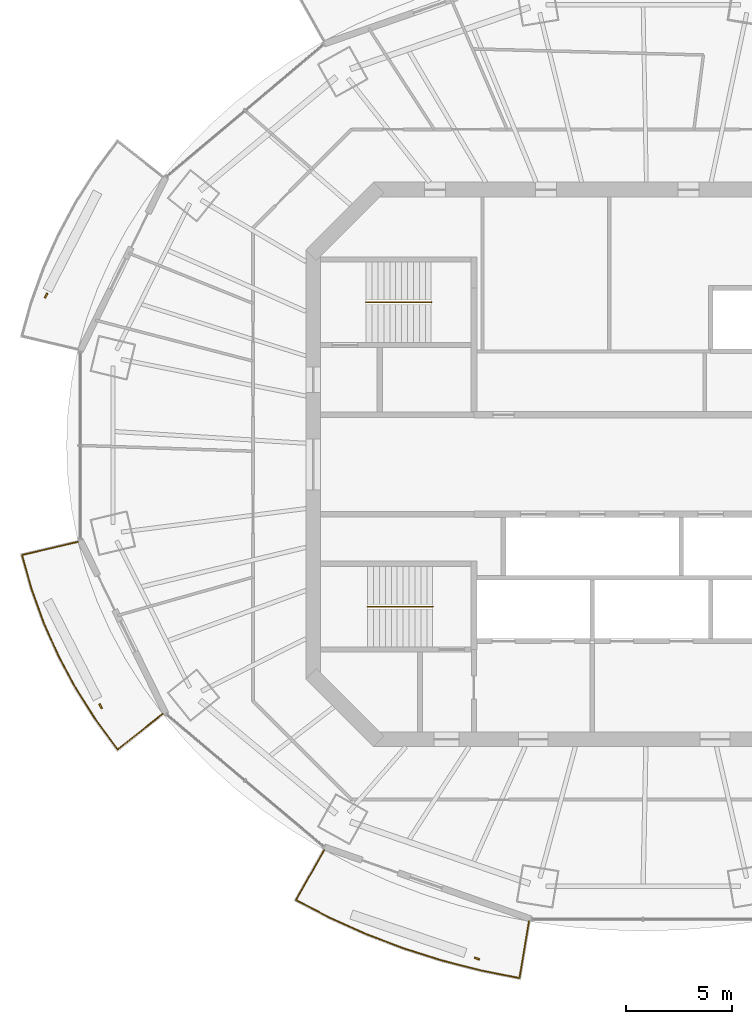
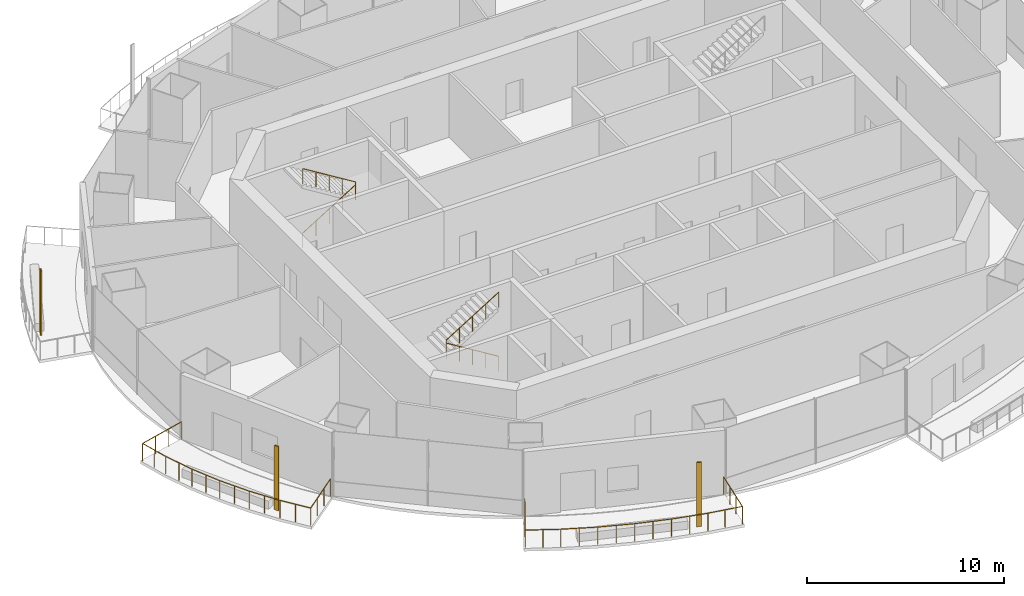
# One storey, part 12 of 16: 4 railings, 3 shading devices.
"""IFC4 building model written with IfcOpenShell, lengths in metres."""

import ifcopenshell
import ifcopenshell.guid

model = None  # the IFC model being written
_history = None  # IfcOwnerHistory: only IFC2X3 demands one
_inside = {}  # id of a spatial element -> (the spatial element, [elements in it])
_under = {}  # id of a project, library or spatial element -> (it, [spatial elements below it])
_declared = {}  # id of a project -> (the project, [libraries it declares])
_typed = {}  # id of a type object -> (the type object, [elements of that type])
_made_of = {}  # id of a material, layer set ... -> (it, [elements and type objects made of it])


def new_model(schema):
    """Start an empty IFC model of exactly this schema.

    Asked for "IFC4X3", IfcOpenShell would pick the latest addendum, in which some entities
    have other attributes; the version numbers below select the first issue.
    IFC2X3 requires an IfcOwnerHistory on every rooted entity: one is made here for all.
    """
    global model, _history
    if schema == "IFC4X3":
        model = ifcopenshell.file(schema_version=(4, 3, 0, 0))
    else:
        model = ifcopenshell.file(schema=schema)
    _inside.clear()
    _under.clear()
    _declared.clear()
    _typed.clear()
    _made_of.clear()
    _history = None
    if model.schema == "IFC2X3":
        org = make("IfcOrganization", Name="unknown")
        user = make(
            "IfcPersonAndOrganization",
            ThePerson=make("IfcPerson", FamilyName="unknown"),
            TheOrganization=org,
        )
        app = make(
            "IfcApplication",
            ApplicationDeveloper=org,
            Version="unknown",
            ApplicationFullName="unknown",
            ApplicationIdentifier="unknown",
        )
        _history = make(
            "IfcOwnerHistory",
            OwningUser=user,
            OwningApplication=app,
            ChangeAction="ADDED",
            CreationDate=0,
        )
    return model


def make(cls, **values):
    """One entity of the class cls with the attributes given. An attribute that is None is left unset."""
    return model.create_entity(
        cls, **{name: value for name, value in values.items() if value is not None}
    )


def rooted(cls, **values):
    """An entity with a GlobalId (a new one), such as an element, a storey or a relation."""
    return make(cls, GlobalId=ifcopenshell.guid.new(), OwnerHistory=_history, **values)


def si_unit(unit_type, name, prefix=None):
    """IfcSIUnit, for example si_unit("LENGTHUNIT", "METRE", prefix="MILLI")."""
    return make("IfcSIUnit", UnitType=unit_type, Prefix=prefix, Name=name)


def assignment(units):
    """IfcUnitAssignment: the units of a project."""
    return None if units is None else make("IfcUnitAssignment", Units=units)


def point(xyz):
    """IfcCartesianPoint."""
    return None if xyz is None else make("IfcCartesianPoint", Coordinates=xyz)


def direction(xyz):
    """IfcDirection."""
    return None if xyz is None else make("IfcDirection", DirectionRatios=xyz)


def frame(location, z_axis=None, x_axis=None):
    """IfcAxis2Placement3D, a coordinate frame: its origin and axes. An axis left out is left unset."""
    return make(
        "IfcAxis2Placement3D",
        Location=point(location),
        Axis=direction(z_axis),
        RefDirection=direction(x_axis),
    )


def frame_2d(location, x_axis=None):
    """IfcAxis2Placement2D, a coordinate frame in the plane: its origin and x axis."""
    return make(
        "IfcAxis2Placement2D", Location=point(location), RefDirection=direction(x_axis)
    )


def origin():
    """The frame at (0, 0, 0) with its axes left unset."""
    return frame((0.0, 0.0, 0.0))


def origin_2d():
    """The frame at (0, 0) in the plane with its x axis left unset."""
    return frame_2d((0.0, 0.0))


def place(relative_to, where):
    """IfcLocalPlacement: puts the frame where relative to a parent placement (None: the world)."""
    return make(
        "IfcLocalPlacement", PlacementRelTo=relative_to, RelativePlacement=where
    )


def context(
    kind, dimensions, precision=None, world=None, true_north=None, identifier=None
):
    """IfcGeometricRepresentationContext, for example the 3D "Model" context."""
    return make(
        "IfcGeometricRepresentationContext",
        ContextIdentifier=identifier,
        ContextType=kind,
        CoordinateSpaceDimension=dimensions,
        Precision=precision,
        WorldCoordinateSystem=world,
        TrueNorth=true_north,
    )


def subcontext(parent, identifier, kind, view, scale=None):
    """IfcGeometricRepresentationSubContext, for example "Body" below "Model"."""
    return make(
        "IfcGeometricRepresentationSubContext",
        ContextIdentifier=identifier,
        ContextType=kind,
        ParentContext=parent,
        TargetScale=scale,
        TargetView=view,
    )


def project(units=None, contexts=None):
    """IfcProject with its units and contexts."""
    return rooted(
        "IfcProject",
        Name="project",
        RepresentationContexts=contexts,
        UnitsInContext=assignment(units),
    )


def spatial(cls, under=None, at=None, **own):
    """A site, building, storey or space (cls), placed at a placement, below another one or the project."""
    s = rooted(cls, ObjectPlacement=at, **own)
    if under is not None:
        _under.setdefault(under.id(), (under, []))[1].append(s)
    return s


def profile(cls, at=None, kind="AREA", **sizes):
    """A parametric profile (cls). Its sizes go by their IFC names, for example OverallWidth=200.0."""
    return make(cls, ProfileType=kind, Position=at, **sizes)


def rectangle(**sizes):
    """IfcRectangleProfileDef."""
    return profile("IfcRectangleProfileDef", **sizes)


def circle(**sizes):
    """IfcCircleProfileDef."""
    return profile("IfcCircleProfileDef", **sizes)


def extrude(swept, where, along, depth):
    """IfcExtrudedAreaSolid: the profile swept, set in the frame where, extruded along a direction by depth."""
    return make(
        "IfcExtrudedAreaSolid",
        SweptArea=swept,
        Position=where,
        ExtrudedDirection=direction(along),
        Depth=depth,
    )


def shape(context_of_items, identifier, shape_type, items):
    """IfcShapeRepresentation: the items that make up one representation, for example the "Body"."""
    return make(
        "IfcShapeRepresentation",
        ContextOfItems=context_of_items,
        RepresentationIdentifier=identifier,
        RepresentationType=shape_type,
        Items=items,
    )


def material(Name=None, Category=None):
    """IfcMaterial."""
    return make("IfcMaterial", Name=Name, Category=Category)


def material_profile(
    of_material, cross_section, Name=None, Category=None, Priority=None
):
    """IfcMaterialProfile: a cross section and its material."""
    return make(
        "IfcMaterialProfile",
        Name=Name,
        Material=of_material,
        Profile=cross_section,
        Priority=Priority,
        Category=Category,
    )


def profile_set(profiles, Name=None, composite=None):
    """IfcMaterialProfileSet."""
    return make(
        "IfcMaterialProfileSet",
        Name=Name,
        MaterialProfiles=profiles,
        CompositeProfile=composite,
    )


def made_of(thing, what):
    """Note that an element or type object is made of a material, layer set ...; save() writes the relation."""
    if what is not None:
        _made_of.setdefault(what.id(), (what, []))[1].append(thing)
    return thing


def type_object(cls, material=None, **own):
    """A type object (cls), such as IfcWallType, which elements share."""
    return made_of(rooted(cls, **own), material)


def element(
    cls,
    number,
    at=None,
    inside=None,
    cuts=None,
    type_object=None,
    material=None,
    context=None,
    identifier="Body",
    shape_type=None,
    held_by="IfcProductDefinitionShape",
    body=None,
    shapes=None,
    **own,
):
    """One element of the class cls, such as IfcWall. Its Tag is "e" and its number.

    at: its placement. inside: the storey or other place that contains it. cuts: it is an
    opening in that element (IfcRelVoidsElement). A single representation is given by context,
    identifier, shape_type and body (its items); several are given by shapes. held_by: the class
    of the entity that holds the representations. save() writes the other relations.
    """
    e = rooted(cls, Tag="e%d" % number, ObjectPlacement=at, **own)
    if body is not None:
        shapes = [shape(context, identifier, shape_type, body)]
    if shapes is not None:
        e.Representation = make(held_by, Representations=shapes)
    if inside is not None:
        _inside.setdefault(inside.id(), (inside, []))[1].append(e)
    if cuts is not None:
        rooted(
            "IfcRelVoidsElement", RelatingBuildingElement=cuts, RelatedOpeningElement=e
        )
    if type_object is not None:
        _typed.setdefault(type_object.id(), (type_object, []))[1].append(e)
    return made_of(e, material)


def aggregate(whole, parts):
    """IfcRelAggregates: a whole, such as a stair, and the parts it consists of."""
    return rooted("IfcRelAggregates", RelatingObject=whole, RelatedObjects=parts)


def save(model, path):
    """Write the relations noted so far, then the file.

    IfcRelAggregates (storeys below a building ...), IfcRelContainedInSpatialStructure (elements
    in a storey), IfcRelDefinesByType, IfcRelAssociatesMaterial and IfcRelDeclares: one each for
    every whole, place, type object, material and project.
    """
    for whole, parts in _under.values():
        aggregate(whole, parts)
    for where, things in _inside.values():
        rooted(
            "IfcRelContainedInSpatialStructure",
            RelatedElements=things,
            RelatingStructure=where,
        )
    for kind, things in _typed.values():
        rooted("IfcRelDefinesByType", RelatedObjects=things, RelatingType=kind)
    for what, things in _made_of.values():
        rooted("IfcRelAssociatesMaterial", RelatedObjects=things, RelatingMaterial=what)
    for by, libraries in _declared.values():
        rooted("IfcRelDeclares", RelatingContext=by, RelatedDefinitions=libraries)
    model.write(path)


model = new_model("IFC4")

# Units and contexts
model_context = context("Model", 3, precision=1e-05, world=origin(), true_north=direction((0.0, 1.0)))
body_context = subcontext(model_context, "Body", "Model", "MODEL_VIEW")
ifc_project = project(units=[si_unit("LENGTHUNIT", "METRE"), si_unit("AREAUNIT", "SQUARE_METRE"), si_unit("VOLUMEUNIT", "CUBIC_METRE"), si_unit("PLANEANGLEUNIT", "RADIAN"), si_unit("MASSUNIT", "GRAM", prefix="KILO")], contexts=[model_context])

# Site, building, storey
site_placement = place(None, origin())
site = spatial("IfcSite", under=ifc_project, at=site_placement, CompositionType="ELEMENT")
building_placement = place(site_placement, origin())
building = spatial("IfcBuilding", under=site, at=building_placement, Name="Marenthal Gate Tower", CompositionType="ELEMENT")
storey_placement = place(building_placement, frame((0.0, 0.0, 334.300048828125)))
storey = spatial("IfcBuildingStorey", under=building, at=storey_placement, Name="L75", CompositionType="ELEMENT", Elevation=334.300048828125)

# Railings
ifc_material_1 = material(Name="Stainless steel", Category="steel")
railing_type_1 = type_object("IfcRailingType", Name="Balcony guard 1100", PredefinedType="GUARDRAIL", material=ifc_material_1)
railing_1_placement = place(storey_placement, frame((-23.123046875, -11.79443359375, 0.0)))
element("IfcRailing", 1, at=railing_1_placement, inside=storey, type_object=railing_type_1, Name="Balcony guard L75 bay 9", PredefinedType="GUARDRAIL", context=body_context, shape_type="SweptSolid", body=[
    extrude(circle(Radius=0.02392578125, at=origin_2d()), frame((0.0, 0.0, 1.076171875), z_axis=(-0.783613159988, -0.621074684128, -0.014719111011), x_axis=(0.621141973669, -0.783698059553, 0.0)), (0.0, 0.0, 1.0), 2.72021484375),
    extrude(circle(Radius=0.02392578125, at=origin_2d()), frame((-2.131591796875, -1.689453125, 1.0361328125), z_axis=(-0.592673479354, 0.805442826569, 0.0), x_axis=(-0.805442826569, -0.592673479354, 0.0)), (0.0, 0.0, 1.0), 1.69580078125),
    extrude(circle(Radius=0.02392578125, at=origin_2d()), frame((-3.13671875, -0.323486328125, 1.0361328125), z_axis=(-0.53589847601, 0.844282431068, 0.0), x_axis=(-0.844282431068, -0.53589847601, 0.0)), (0.0, 0.0, 1.0), 1.76318359375),
    extrude(circle(Radius=0.02392578125, at=origin_2d()), frame((-4.08154296875, 1.1650390625, 1.0361328125), z_axis=(-0.473717470746, 0.880676874858, 0.0), x_axis=(-0.880676874858, -0.473717470746, 0.0)), (0.0, 0.0, 1.0), 1.751708984375),
    extrude(circle(Radius=0.02392578125, at=origin_2d()), frame((-4.911376953125, 2.707763671875, 1.0361328125), z_axis=(-0.407984820198, 0.912988711041, 0.0), x_axis=(-0.912988711041, -0.407984820198, 0.0)), (0.0, 0.0, 1.0), 1.741455078125),
    extrude(circle(Radius=0.02392578125, at=origin_2d()), frame((-5.621826171875, 4.297607421875, 1.0361328125), z_axis=(-0.338924060667, 0.940813733478, 0.0), x_axis=(-0.940813733478, -0.338924060667, 0.0)), (0.0, 0.0, 1.0), 1.732421875),
    extrude(circle(Radius=0.02392578125, at=origin_2d()), frame((-6.208984375, 5.927490234375, 1.0361328125), z_axis=(-0.268600452735, 0.963251678841, 0.0), x_axis=(-0.963251678841, -0.268600452735, 0.0)), (0.0, 0.0, 1.0), 1.645263671875),
    extrude(circle(Radius=0.02392578125, at=origin_2d()), frame((-6.65087890625, 7.51220703125, 1.0361328125), z_axis=(0.97315730439, 0.229669790827, 0.014718970573), x_axis=(-0.229694673631, 0.973262737859, 0.0)), (0.0, 0.0, 1.0), 2.72021484375),
    extrude(circle(Radius=0.02099609375, at=origin_2d()), origin(), (0.0, 0.0, 1.0), 1.052001953125),
    extrude(circle(Radius=0.02099609375, at=origin_2d()), frame((-0.71044921875, -0.563232421875, -0.013427734375)), (0.0, 0.0, 1.0), 1.052001953125),
    extrude(circle(Radius=0.02099609375, at=origin_2d()), frame((-1.421142578125, -1.126220703125, -0.026611328125)), (0.0, 0.0, 1.0), 1.052001953125),
    extrude(circle(Radius=0.02099609375, at=origin_2d()), frame((-2.131591796875, -1.689453125, -0.0400390625)), (0.0, 0.0, 1.0), 1.052001953125),
    extrude(circle(Radius=0.02099609375, at=origin_2d()), frame((-2.63427734375, -1.00634765625, -0.0400390625)), (0.0, 0.0, 1.0), 1.052001953125),
    extrude(circle(Radius=0.02099609375, at=origin_2d()), frame((-3.13671875, -0.323486328125, -0.0400390625)), (0.0, 0.0, 1.0), 1.052001953125),
    extrude(circle(Radius=0.02099609375, at=origin_2d()), frame((-3.609130859375, 0.4208984375, -0.0400390625)), (0.0, 0.0, 1.0), 1.052001953125),
    extrude(circle(Radius=0.02099609375, at=origin_2d()), frame((-4.08154296875, 1.1650390625, -0.0400390625)), (0.0, 0.0, 1.0), 1.052001953125),
    extrude(circle(Radius=0.02099609375, at=origin_2d()), frame((-4.49658203125, 1.9365234375, -0.0400390625)), (0.0, 0.0, 1.0), 1.052001953125),
    extrude(circle(Radius=0.02099609375, at=origin_2d()), frame((-4.911376953125, 2.707763671875, -0.0400390625)), (0.0, 0.0, 1.0), 1.052001953125),
    extrude(circle(Radius=0.02099609375, at=origin_2d()), frame((-5.2666015625, 3.502685546875, -0.0400390625)), (0.0, 0.0, 1.0), 1.052001953125),
    extrude(circle(Radius=0.02099609375, at=origin_2d()), frame((-5.621826171875, 4.297607421875, -0.0400390625)), (0.0, 0.0, 1.0), 1.052001953125),
    extrude(circle(Radius=0.02099609375, at=origin_2d()), frame((-5.91552734375, 5.112548828125, -0.0400390625)), (0.0, 0.0, 1.0), 1.052001953125),
    extrude(circle(Radius=0.02099609375, at=origin_2d()), frame((-6.208984375, 5.927490234375, -0.0400390625)), (0.0, 0.0, 1.0), 1.052001953125),
    extrude(circle(Radius=0.02099609375, at=origin_2d()), frame((-6.429931640625, 6.7197265625, -0.0400390625)), (0.0, 0.0, 1.0), 1.052001953125),
    extrude(circle(Radius=0.02099609375, at=origin_2d()), frame((-6.65087890625, 7.51220703125, -0.0400390625)), (0.0, 0.0, 1.0), 1.052001953125),
    extrude(circle(Radius=0.02099609375, at=origin_2d()), frame((-5.7685546875, 7.720458984375, -0.026611328125)), (0.0, 0.0, 1.0), 1.052001953125),
    extrude(circle(Radius=0.02099609375, at=origin_2d()), frame((-4.885986328125, 7.9287109375, -0.013427734375)), (0.0, 0.0, 1.0), 1.052001953125),
    extrude(circle(Radius=0.02099609375, at=origin_2d()), frame((-4.003662109375, 8.136962890625, 0.0)), (0.0, 0.0, 1.0), 1.052001953125),
])
railing_2_placement = place(storey_placement, frame((-5.798828125, -21.607666015625, 0.0)))
element("IfcRailing", 2, at=railing_2_placement, inside=storey, type_object=railing_type_1, Name="Balcony guard L75 bay 11", PredefinedType="GUARDRAIL", context=body_context, shape_type="SweptSolid", body=[
    extrude(circle(Radius=0.02392578125, at=origin_2d()), frame((0.0, 0.0, 1.076171875), z_axis=(-0.165327157968, -0.986128927578, -0.014719681817), x_axis=(0.986235776742, -0.165345071517, 0.0)), (0.0, 0.0, 1.0), 2.72021484375),
    extrude(circle(Radius=0.02392578125, at=origin_2d()), frame((-0.44970703125, -2.682373046875, 1.0361328125), z_axis=(-0.9810465399, 0.193772254337, 0.0), x_axis=(-0.193772254337, -0.9810465399, 0.0)), (0.0, 0.0, 1.0), 1.84326171875),
    extrude(circle(Radius=0.02392578125, at=origin_2d()), frame((-2.258056640625, -2.3251953125, 1.0361328125), z_axis=(-0.968878064997, 0.247538472096, 0.0), x_axis=(-0.247538472096, -0.968878064997, 0.0)), (0.0, 0.0, 1.0), 1.916259765625),
    extrude(circle(Radius=0.02392578125, at=origin_2d()), frame((-4.11474609375, -1.850830078125, 1.0361328125), z_axis=(-0.953251321023, 0.302178620963, 0.0), x_axis=(-0.302178620963, -0.953251321023, 0.0)), (0.0, 0.0, 1.0), 1.907470703125),
    extrude(circle(Radius=0.02392578125, at=origin_2d()), frame((-5.93310546875, -1.2744140625, 1.0361328125), z_axis=(-0.934293977025, 0.356503526623, 0.0), x_axis=(-0.356503526623, -0.934293977025, 0.0)), (0.0, 0.0, 1.0), 1.897705078125),
    extrude(circle(Radius=0.02392578125, at=origin_2d()), frame((-7.7060546875, -0.597900390625, 1.0361328125), z_axis=(-0.911863363512, 0.410493856573, 0.0), x_axis=(-0.410493856573, -0.911863363512, 0.0)), (0.0, 0.0, 1.0), 1.885986328125),
    extrude(circle(Radius=0.02392578125, at=origin_2d()), frame((-9.42578125, 0.17626953125, 1.0361328125), z_axis=(-0.886507182027, 0.462714832498, 0.0), x_axis=(-0.462714832498, -0.886507182027, 0.0)), (0.0, 0.0, 1.0), 1.7939453125),
    extrude(circle(Radius=0.02392578125, at=origin_2d()), frame((-11.01611328125, 1.00634765625, 1.0361328125), z_axis=(0.490740668141, 0.871181358019, 0.014718630134), x_axis=(-0.871275738879, 0.490793833336, 0.0)), (0.0, 0.0, 1.0), 2.72021484375),
    extrude(circle(Radius=0.02099609375, at=origin_2d()), origin(), (0.0, 0.0, 1.0), 1.052001953125),
    extrude(circle(Radius=0.02099609375, at=origin_2d()), frame((-0.14990234375, -0.89404296875, -0.013427734375)), (0.0, 0.0, 1.0), 1.052001953125),
    extrude(circle(Radius=0.02099609375, at=origin_2d()), frame((-0.2998046875, -1.788330078125, -0.026611328125)), (0.0, 0.0, 1.0), 1.052001953125),
    extrude(circle(Radius=0.02099609375, at=origin_2d()), frame((-0.44970703125, -2.682373046875, -0.0400390625)), (0.0, 0.0, 1.0), 1.052001953125),
    extrude(circle(Radius=0.02099609375, at=origin_2d()), frame((-1.35400390625, -2.50390625, -0.0400390625)), (0.0, 0.0, 1.0), 1.052001953125),
    extrude(circle(Radius=0.02099609375, at=origin_2d()), frame((-2.258056640625, -2.3251953125, -0.0400390625)), (0.0, 0.0, 1.0), 1.052001953125),
    extrude(circle(Radius=0.02099609375, at=origin_2d()), frame((-3.1865234375, -2.087890625, -0.0400390625)), (0.0, 0.0, 1.0), 1.052001953125),
    extrude(circle(Radius=0.02099609375, at=origin_2d()), frame((-4.11474609375, -1.850830078125, -0.0400390625)), (0.0, 0.0, 1.0), 1.052001953125),
    extrude(circle(Radius=0.02099609375, at=origin_2d()), frame((-5.02392578125, -1.5625, -0.0400390625)), (0.0, 0.0, 1.0), 1.052001953125),
    extrude(circle(Radius=0.02099609375, at=origin_2d()), frame((-5.93310546875, -1.2744140625, -0.0400390625)), (0.0, 0.0, 1.0), 1.052001953125),
    extrude(circle(Radius=0.02099609375, at=origin_2d()), frame((-6.819580078125, -0.93603515625, -0.0400390625)), (0.0, 0.0, 1.0), 1.052001953125),
    extrude(circle(Radius=0.02099609375, at=origin_2d()), frame((-7.7060546875, -0.597900390625, -0.0400390625)), (0.0, 0.0, 1.0), 1.052001953125),
    extrude(circle(Radius=0.02099609375, at=origin_2d()), frame((-8.56591796875, -0.2109375, -0.0400390625)), (0.0, 0.0, 1.0), 1.052001953125),
    extrude(circle(Radius=0.02099609375, at=origin_2d()), frame((-9.42578125, 0.17626953125, -0.0400390625)), (0.0, 0.0, 1.0), 1.052001953125),
    extrude(circle(Radius=0.02099609375, at=origin_2d()), frame((-10.220947265625, 0.59130859375, -0.0400390625)), (0.0, 0.0, 1.0), 1.052001953125),
    extrude(circle(Radius=0.02099609375, at=origin_2d()), frame((-11.01611328125, 1.00634765625, -0.0400390625)), (0.0, 0.0, 1.0), 1.052001953125),
    extrude(circle(Radius=0.02099609375, at=origin_2d()), frame((-10.571044921875, 1.79638671875, -0.026611328125)), (0.0, 0.0, 1.0), 1.052001953125),
    extrude(circle(Radius=0.02099609375, at=origin_2d()), frame((-10.126220703125, 2.586181640625, -0.013427734375)), (0.0, 0.0, 1.0), 1.052001953125),
    extrude(circle(Radius=0.02099609375, at=origin_2d()), frame((-9.68115234375, 3.376220703125, 0.0)), (0.0, 0.0, 1.0), 1.052001953125),
])
ifc_material_2 = material(Name="Stainless steel", Category="steel")
railing_type_2 = type_object("IfcRailingType", Name="Stair handrail", PredefinedType="HANDRAIL", material=ifc_material_2)
railing_3_placement = place(storey_placement, frame((-13.5, 7.675048828125, 0.1728515625)))
element("IfcRailing", 3, at=railing_3_placement, inside=storey, type_object=railing_type_2, Name="Handrail ST1", PredefinedType="HANDRAIL", context=body_context, shape_type="SweptSolid", body=[
    extrude(circle(Radius=0.0224609375, at=origin_2d()), frame((0.0, 0.0, 0.927490234375), z_axis=(0.850835241893, 0.0, 0.525432575268), x_axis=(0.0, 1.0, 0.0)), (0.0, 0.0, 1.0), 3.6201171875),
    extrude(circle(Radius=0.0224609375, at=origin_2d()), frame((3.080078125, 0.0, 2.82958984375), z_axis=(0.0, 0.0, 1.0), x_axis=(1.0, 0.0, 0.0)), (0.0, 0.0, 1.0), 0.1728515625),
    extrude(circle(Radius=0.0224609375, at=origin_2d()), frame((3.080078125, 0.0, 3.00244140625), z_axis=(-0.850835241893, 0.0, 0.525432575268), x_axis=(0.0, -1.0, 0.0)), (0.0, 0.0, 1.0), 3.6201171875),
    extrude(circle(Radius=0.02001953125, at=origin_2d()), origin(), (0.0, 0.0, 1.0), 0.905029296875),
    extrude(circle(Radius=0.02001953125, at=origin_2d()), frame((0.77001953125, 0.0, 0.4755859375)), (0.0, 0.0, 1.0), 0.905029296875),
    extrude(circle(Radius=0.02001953125, at=origin_2d()), frame((1.5400390625, 0.0, 0.951171875)), (0.0, 0.0, 1.0), 0.905029296875),
    extrude(circle(Radius=0.02001953125, at=origin_2d()), frame((2.31005859375, 0.0, 1.426513671875)), (0.0, 0.0, 1.0), 0.905029296875),
    extrude(circle(Radius=0.02001953125, at=origin_2d()), frame((3.080078125, 0.0, 1.902099609375)), (0.0, 0.0, 1.0), 0.905029296875),
    extrude(circle(Radius=0.02001953125, at=origin_2d()), frame((3.080078125, 0.0, 2.074951171875)), (0.0, 0.0, 1.0), 0.905029296875),
    extrude(circle(Radius=0.02001953125, at=origin_2d()), frame((2.31005859375, 0.0, 2.550537109375)), (0.0, 0.0, 1.0), 0.905029296875),
    extrude(circle(Radius=0.02001953125, at=origin_2d()), frame((1.5400390625, 0.0, 3.02587890625)), (0.0, 0.0, 1.0), 0.905029296875),
    extrude(circle(Radius=0.02001953125, at=origin_2d()), frame((0.77001953125, 0.0, 3.50146484375)), (0.0, 0.0, 1.0), 0.905029296875),
    extrude(circle(Radius=0.02001953125, at=origin_2d()), frame((0.0, 0.0, 3.97705078125)), (0.0, 0.0, 1.0), 0.905029296875),
])
railing_4_placement = place(storey_placement, frame((-10.35009765625, -6.72509765625, 0.1728515625)))
element("IfcRailing", 4, at=railing_4_placement, inside=storey, type_object=railing_type_2, Name="Handrail ST2", PredefinedType="HANDRAIL", context=body_context, shape_type="SweptSolid", body=[
    extrude(circle(Radius=0.0224609375, at=origin_2d()), frame((0.0, 0.0, 0.927490234375), z_axis=(-0.850816621229, 0.0, 0.525462726595), x_axis=(0.0, -1.0, 0.0)), (0.0, 0.0, 1.0), 3.619873046875),
    extrude(circle(Radius=0.0224609375, at=origin_2d()), frame((-3.079833984375, 0.0, 2.82958984375), z_axis=(0.0, 0.0, 1.0), x_axis=(1.0, 0.0, 0.0)), (0.0, 0.0, 1.0), 0.1728515625),
    extrude(circle(Radius=0.0224609375, at=origin_2d()), frame((-3.079833984375, 0.0, 3.00244140625), z_axis=(0.850816621229, 0.0, 0.525462726595), x_axis=(0.0, 1.0, 0.0)), (0.0, 0.0, 1.0), 3.619873046875),
    extrude(circle(Radius=0.02001953125, at=origin_2d()), origin(), (0.0, 0.0, 1.0), 0.905029296875),
    extrude(circle(Radius=0.02001953125, at=origin_2d()), frame((-0.77001953125, 0.0, 0.4755859375)), (0.0, 0.0, 1.0), 0.905029296875),
    extrude(circle(Radius=0.02001953125, at=origin_2d()), frame((-1.5400390625, 0.0, 0.951171875)), (0.0, 0.0, 1.0), 0.905029296875),
    extrude(circle(Radius=0.02001953125, at=origin_2d()), frame((-2.309814453125, 0.0, 1.426513671875)), (0.0, 0.0, 1.0), 0.905029296875),
    extrude(circle(Radius=0.02001953125, at=origin_2d()), frame((-3.079833984375, 0.0, 1.902099609375)), (0.0, 0.0, 1.0), 0.905029296875),
    extrude(circle(Radius=0.02001953125, at=origin_2d()), frame((-3.079833984375, 0.0, 2.074951171875)), (0.0, 0.0, 1.0), 0.905029296875),
    extrude(circle(Radius=0.02001953125, at=origin_2d()), frame((-2.309814453125, 0.0, 2.550537109375)), (0.0, 0.0, 1.0), 0.905029296875),
    extrude(circle(Radius=0.02001953125, at=origin_2d()), frame((-1.5400390625, 0.0, 3.02587890625)), (0.0, 0.0, 1.0), 0.905029296875),
    extrude(circle(Radius=0.02001953125, at=origin_2d()), frame((-0.77001953125, 0.0, 3.50146484375)), (0.0, 0.0, 1.0), 0.905029296875),
    extrude(circle(Radius=0.02001953125, at=origin_2d()), frame((0.0, 0.0, 3.97705078125)), (0.0, 0.0, 1.0), 0.905029296875),
])

# Shading devices
ifc_material_3 = material(Name="Terracotta", Category="masonry")
ifc_material_profile = material_profile(ifc_material_3, rectangle(XDim=0.25, YDim=0.080078125, at=origin_2d()), Name="Terracotta baguette 250x80")
ifc_profile_set = profile_set([ifc_material_profile], Name="Terracotta")
shading_device_type = type_object("IfcShadingDeviceType", Name="Terracotta BAGUETTE SCREEN 250x80", PredefinedType="USERDEFINED", material=ifc_profile_set)
for number, where, z_axis, x_axis, name in (
    (5, (-28.636962890625, 7.98876953125, -0.0400390625), (0.0, 0.0, 1.0), (-0.441297921184, -0.897360654787, 0.0), "Terracotta BAGUETTE L75 bay 7R"),
    (6, (-26.05810546875, -11.432373046875, -0.0400390625), (0.0, 0.0, 1.0), (0.441297921184, -0.897360654787, 0.0), "Terracotta BAGUETTE L75 bay 9R"),
    (7, (-8.26123046875, -23.36767578125, -0.0400390625), (0.0, 0.0, 1.0), (0.944185799872, -0.329413380602, 0.0), "Terracotta BAGUETTE L75 bay 11R"),
):
    element("IfcShadingDevice", number, at=place(storey_placement, frame(where, z_axis=z_axis, x_axis=x_axis)), inside=storey, type_object=shading_device_type, Name=name, ObjectType="BAGUETTE SCREEN", PredefinedType="USERDEFINED", context=body_context, shape_type="SweptSolid", body=[
        extrude(rectangle(XDim=0.25, YDim=0.080078125, at=origin_2d()), origin(), (0.0, 0.0, 1.0), 3.969970703125),
    ])

save(model, "model.ifc")
